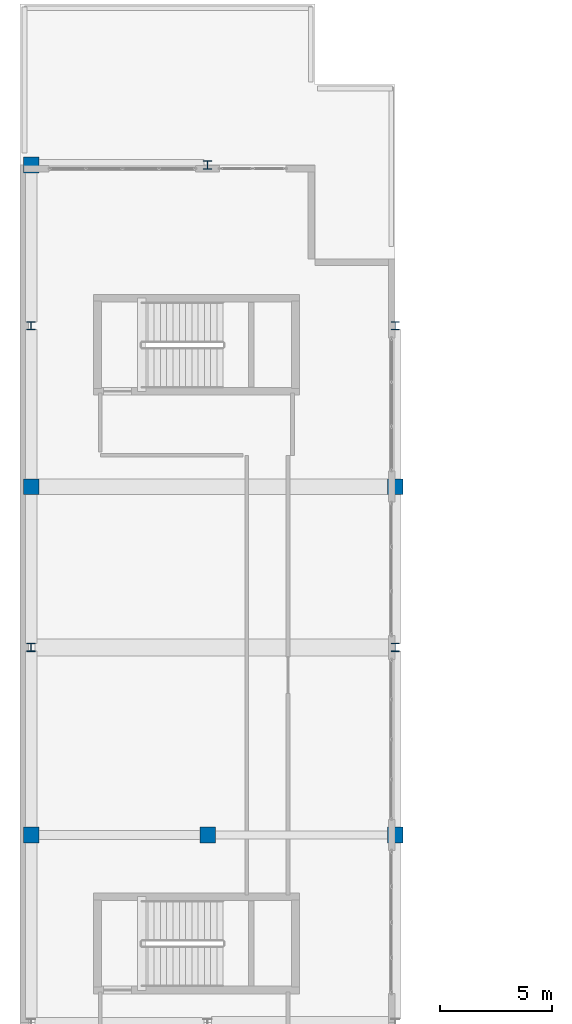
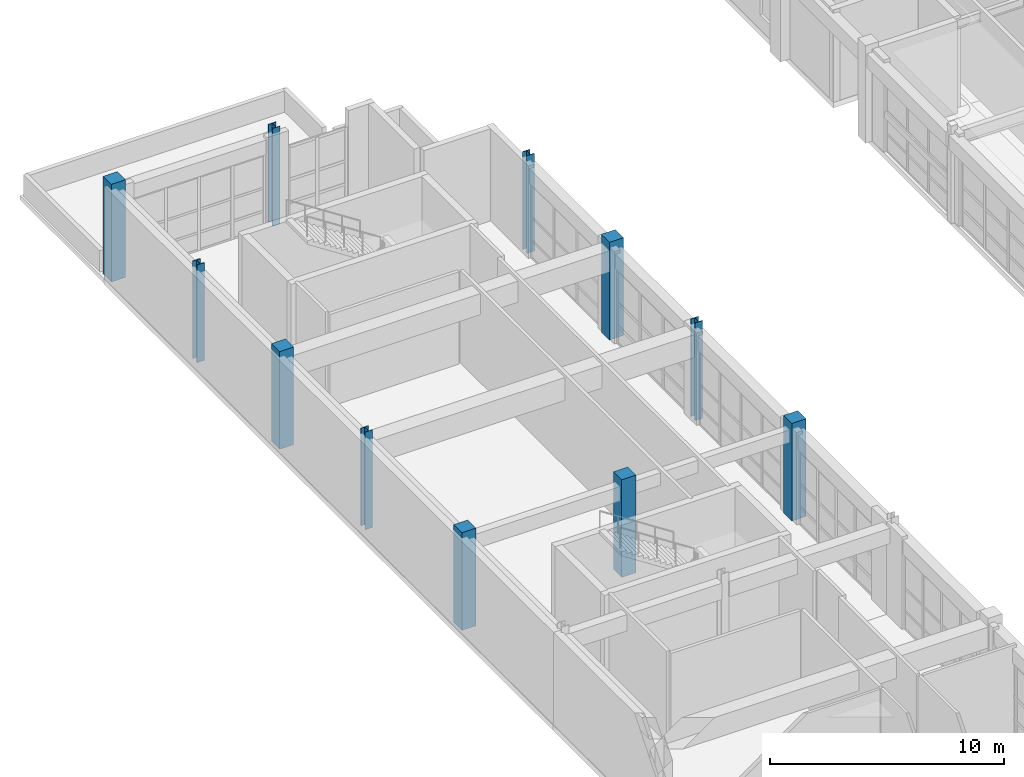
# One storey, part 5 of 78: 11 columns.
"""IFC4 building model written with IfcOpenShell, lengths in metres."""

import ifcopenshell
import ifcopenshell.guid

model = None  # the IFC model being written
_history = None  # IfcOwnerHistory: only IFC2X3 demands one
_inside = {}  # id of a spatial element -> (the spatial element, [elements in it])
_under = {}  # id of a project, library or spatial element -> (it, [spatial elements below it])
_declared = {}  # id of a project -> (the project, [libraries it declares])
_typed = {}  # id of a type object -> (the type object, [elements of that type])
_made_of = {}  # id of a material, layer set ... -> (it, [elements and type objects made of it])


def new_model(schema):
    """Start an empty IFC model of exactly this schema.

    Asked for "IFC4X3", IfcOpenShell would pick the latest addendum, in which some entities
    have other attributes; the version numbers below select the first issue.
    IFC2X3 requires an IfcOwnerHistory on every rooted entity: one is made here for all.
    """
    global model, _history
    if schema == "IFC4X3":
        model = ifcopenshell.file(schema_version=(4, 3, 0, 0))
    else:
        model = ifcopenshell.file(schema=schema)
    _inside.clear()
    _under.clear()
    _declared.clear()
    _typed.clear()
    _made_of.clear()
    _history = None
    if model.schema == "IFC2X3":
        org = make("IfcOrganization", Name="unknown")
        user = make(
            "IfcPersonAndOrganization",
            ThePerson=make("IfcPerson", FamilyName="unknown"),
            TheOrganization=org,
        )
        app = make(
            "IfcApplication",
            ApplicationDeveloper=org,
            Version="unknown",
            ApplicationFullName="unknown",
            ApplicationIdentifier="unknown",
        )
        _history = make(
            "IfcOwnerHistory",
            OwningUser=user,
            OwningApplication=app,
            ChangeAction="ADDED",
            CreationDate=0,
        )
    return model


def make(cls, **values):
    """One entity of the class cls with the attributes given. An attribute that is None is left unset."""
    return model.create_entity(
        cls, **{name: value for name, value in values.items() if value is not None}
    )


def rooted(cls, **values):
    """An entity with a GlobalId (a new one), such as an element, a storey or a relation."""
    return make(cls, GlobalId=ifcopenshell.guid.new(), OwnerHistory=_history, **values)


def si_unit(unit_type, name, prefix=None):
    """IfcSIUnit, for example si_unit("LENGTHUNIT", "METRE", prefix="MILLI")."""
    return make("IfcSIUnit", UnitType=unit_type, Prefix=prefix, Name=name)


def assignment(units):
    """IfcUnitAssignment: the units of a project."""
    return None if units is None else make("IfcUnitAssignment", Units=units)


def point(xyz):
    """IfcCartesianPoint."""
    return None if xyz is None else make("IfcCartesianPoint", Coordinates=xyz)


def direction(xyz):
    """IfcDirection."""
    return None if xyz is None else make("IfcDirection", DirectionRatios=xyz)


def frame(location, z_axis=None, x_axis=None):
    """IfcAxis2Placement3D, a coordinate frame: its origin and axes. An axis left out is left unset."""
    return make(
        "IfcAxis2Placement3D",
        Location=point(location),
        Axis=direction(z_axis),
        RefDirection=direction(x_axis),
    )


def frame_2d(location, x_axis=None):
    """IfcAxis2Placement2D, a coordinate frame in the plane: its origin and x axis."""
    return make(
        "IfcAxis2Placement2D", Location=point(location), RefDirection=direction(x_axis)
    )


def origin():
    """The frame at (0, 0, 0) with its axes left unset."""
    return frame((0.0, 0.0, 0.0))


def origin_2d():
    """The frame at (0, 0) in the plane with its x axis left unset."""
    return frame_2d((0.0, 0.0))


def place(relative_to, where):
    """IfcLocalPlacement: puts the frame where relative to a parent placement (None: the world)."""
    return make(
        "IfcLocalPlacement", PlacementRelTo=relative_to, RelativePlacement=where
    )


def context(
    kind, dimensions, precision=None, world=None, true_north=None, identifier=None
):
    """IfcGeometricRepresentationContext, for example the 3D "Model" context."""
    return make(
        "IfcGeometricRepresentationContext",
        ContextIdentifier=identifier,
        ContextType=kind,
        CoordinateSpaceDimension=dimensions,
        Precision=precision,
        WorldCoordinateSystem=world,
        TrueNorth=true_north,
    )


def subcontext(parent, identifier, kind, view, scale=None):
    """IfcGeometricRepresentationSubContext, for example "Body" below "Model"."""
    return make(
        "IfcGeometricRepresentationSubContext",
        ContextIdentifier=identifier,
        ContextType=kind,
        ParentContext=parent,
        TargetScale=scale,
        TargetView=view,
    )


def project(units=None, contexts=None):
    """IfcProject with its units and contexts."""
    return rooted(
        "IfcProject",
        Name="project",
        RepresentationContexts=contexts,
        UnitsInContext=assignment(units),
    )


def spatial(cls, under=None, at=None, **own):
    """A site, building, storey or space (cls), placed at a placement, below another one or the project."""
    s = rooted(cls, ObjectPlacement=at, **own)
    if under is not None:
        _under.setdefault(under.id(), (under, []))[1].append(s)
    return s


def profile(cls, at=None, kind="AREA", **sizes):
    """A parametric profile (cls). Its sizes go by their IFC names, for example OverallWidth=200.0."""
    return make(cls, ProfileType=kind, Position=at, **sizes)


def rectangle(**sizes):
    """IfcRectangleProfileDef."""
    return profile("IfcRectangleProfileDef", **sizes)


def i_section(**sizes):
    """IfcIShapeProfileDef."""
    return profile("IfcIShapeProfileDef", **sizes)


def extrude(swept, where, along, depth):
    """IfcExtrudedAreaSolid: the profile swept, set in the frame where, extruded along a direction by depth."""
    return make(
        "IfcExtrudedAreaSolid",
        SweptArea=swept,
        Position=where,
        ExtrudedDirection=direction(along),
        Depth=depth,
    )


def shape(context_of_items, identifier, shape_type, items):
    """IfcShapeRepresentation: the items that make up one representation, for example the "Body"."""
    return make(
        "IfcShapeRepresentation",
        ContextOfItems=context_of_items,
        RepresentationIdentifier=identifier,
        RepresentationType=shape_type,
        Items=items,
    )


def material(Name=None, Category=None):
    """IfcMaterial."""
    return make("IfcMaterial", Name=Name, Category=Category)


def material_profile(
    of_material, cross_section, Name=None, Category=None, Priority=None
):
    """IfcMaterialProfile: a cross section and its material."""
    return make(
        "IfcMaterialProfile",
        Name=Name,
        Material=of_material,
        Profile=cross_section,
        Priority=Priority,
        Category=Category,
    )


def profile_set(profiles, Name=None, composite=None):
    """IfcMaterialProfileSet."""
    return make(
        "IfcMaterialProfileSet",
        Name=Name,
        MaterialProfiles=profiles,
        CompositeProfile=composite,
    )


def made_of(thing, what):
    """Note that an element or type object is made of a material, layer set ...; save() writes the relation."""
    if what is not None:
        _made_of.setdefault(what.id(), (what, []))[1].append(thing)
    return thing


def type_object(cls, material=None, **own):
    """A type object (cls), such as IfcWallType, which elements share."""
    return made_of(rooted(cls, **own), material)


def element(
    cls,
    number,
    at=None,
    inside=None,
    cuts=None,
    type_object=None,
    material=None,
    context=None,
    identifier="Body",
    shape_type=None,
    held_by="IfcProductDefinitionShape",
    body=None,
    shapes=None,
    **own,
):
    """One element of the class cls, such as IfcWall. Its Tag is "e" and its number.

    at: its placement. inside: the storey or other place that contains it. cuts: it is an
    opening in that element (IfcRelVoidsElement). A single representation is given by context,
    identifier, shape_type and body (its items); several are given by shapes. held_by: the class
    of the entity that holds the representations. save() writes the other relations.
    """
    e = rooted(cls, Tag="e%d" % number, ObjectPlacement=at, **own)
    if body is not None:
        shapes = [shape(context, identifier, shape_type, body)]
    if shapes is not None:
        e.Representation = make(held_by, Representations=shapes)
    if inside is not None:
        _inside.setdefault(inside.id(), (inside, []))[1].append(e)
    if cuts is not None:
        rooted(
            "IfcRelVoidsElement", RelatingBuildingElement=cuts, RelatedOpeningElement=e
        )
    if type_object is not None:
        _typed.setdefault(type_object.id(), (type_object, []))[1].append(e)
    return made_of(e, material)


def aggregate(whole, parts):
    """IfcRelAggregates: a whole, such as a stair, and the parts it consists of."""
    return rooted("IfcRelAggregates", RelatingObject=whole, RelatedObjects=parts)


def save(model, path):
    """Write the relations noted so far, then the file.

    IfcRelAggregates (storeys below a building ...), IfcRelContainedInSpatialStructure (elements
    in a storey), IfcRelDefinesByType, IfcRelAssociatesMaterial and IfcRelDeclares: one each for
    every whole, place, type object, material and project.
    """
    for whole, parts in _under.values():
        aggregate(whole, parts)
    for where, things in _inside.values():
        rooted(
            "IfcRelContainedInSpatialStructure",
            RelatedElements=things,
            RelatingStructure=where,
        )
    for kind, things in _typed.values():
        rooted("IfcRelDefinesByType", RelatedObjects=things, RelatingType=kind)
    for what, things in _made_of.values():
        rooted("IfcRelAssociatesMaterial", RelatedObjects=things, RelatingMaterial=what)
    for by, libraries in _declared.values():
        rooted("IfcRelDeclares", RelatingContext=by, RelatedDefinitions=libraries)
    model.write(path)


model = new_model("IFC4")

# Units and contexts
model_context = context("Model", 3, precision=1e-05, world=origin(), true_north=direction((0.0, 1.0)))
body_context = subcontext(model_context, "Body", "Model", "MODEL_VIEW")
ifc_project = project(units=[si_unit("LENGTHUNIT", "METRE"), si_unit("AREAUNIT", "SQUARE_METRE"), si_unit("VOLUMEUNIT", "CUBIC_METRE"), si_unit("PLANEANGLEUNIT", "RADIAN"), si_unit("MASSUNIT", "GRAM", prefix="KILO")], contexts=[model_context])

# Site, building, storey
site_placement = place(None, origin())
site = spatial("IfcSite", under=ifc_project, at=site_placement, CompositionType="ELEMENT")
building_placement = place(site_placement, origin())
building = spatial("IfcBuilding", under=site, at=building_placement, Name="Quendrovan Civic Courthouse", CompositionType="ELEMENT")
storey_placement = place(building_placement, frame((0.0, 0.0, 10.199951171875)))
storey = spatial("IfcBuildingStorey", under=building, at=storey_placement, Name="L03", CompositionType="ELEMENT", Elevation=10.199951171875)

# Columns
ifc_material_1 = material(Name="Concrete C45/55", Category="concrete")
ifc_material_profile_1 = material_profile(ifc_material_1, rectangle(XDim=0.699951171875, YDim=0.699951171875, at=origin_2d()), Name="RC-COL-700x700")
ifc_profile_set_1 = profile_set([ifc_material_profile_1], Name="Concrete C45/55")
column_type_1 = type_object("IfcColumnType", Name="COL-RC700", PredefinedType="COLUMN", material=ifc_profile_set_1)
for number, where, z_axis, x_axis, name in (
    (1, (0.5, 64.800048828125, 0.0), (0.0, 0.0, 1.0), (1.0, 0.0, 0.0), "L03 Column 1-J"),
    (2, (0.5, 80.39990234375, 0.0), (0.0, 0.0, 1.0), (1.0, 0.0, 0.0), "L03 Column 1-L"),
    (3, (0.5, 94.800048828125, 0.0), (0.0, 0.0, 1.0), (1.0, 0.0, 0.0), "L03 Column 1-N"),
    (4, (8.39990234375, 64.800048828125, 0.0), (0.0, 0.0, 1.0), (1.0, 0.0, 0.0), "L03 Column 2-J"),
    (5, (16.800048828125, 64.800048828125, 0.0), (0.0, 0.0, 1.0), (1.0, 0.0, 0.0), "L03 Column 3-J"),
    (6, (16.800048828125, 80.39990234375, 0.0), (0.0, 0.0, 1.0), (1.0, 0.0, 0.0), "L03 Column 3-L"),
):
    element("IfcColumn", number, at=place(storey_placement, frame(where, z_axis=z_axis, x_axis=x_axis)), inside=storey, type_object=column_type_1, Name=name, PredefinedType="COLUMN", context=body_context, shape_type="SweptSolid", body=[
        extrude(rectangle(XDim=0.699951171875, YDim=0.699951171875, at=origin_2d()), origin(), (0.0, 0.0, 1.0), 5.10009765625),
    ])
ifc_material_2 = material(Name="Steel ASTM A992 Grade 50", Category="steel")
ifc_material_profile_2 = material_profile(ifc_material_2, i_section(OverallWidth=0.3740234375, OverallDepth=0.3720703125, WebThickness=0.016357421875, FlangeThickness=0.026123046875, at=origin_2d()), Name="W14X132")
ifc_profile_set_2 = profile_set([ifc_material_profile_2], Name="Steel ASTM A992 Grade 50")
column_type_2 = type_object("IfcColumnType", Name="COL-STL-W14X132", PredefinedType="COLUMN", material=ifc_profile_set_2)
for number, where, z_axis, x_axis, name in (
    (7, (0.5, 73.199951171875, 0.0), (0.0, 0.0, 1.0), (1.0, 0.0, 0.0), "L03 Column 1-K"),
    (8, (0.5, 87.60009765625, 0.0), (0.0, 0.0, 1.0), (1.0, 0.0, 0.0), "L03 Column 1-M"),
    (9, (8.39990234375, 94.800048828125, 0.0), (0.0, 0.0, 1.0), (1.0, 0.0, 0.0), "L03 Column 2-N"),
    (10, (16.800048828125, 73.199951171875, 0.0), (0.0, 0.0, 1.0), (1.0, 0.0, 0.0), "L03 Column 3-K"),
    (11, (16.800048828125, 87.60009765625, 0.0), (0.0, 0.0, 1.0), (1.0, 0.0, 0.0), "L03 Column 3-M"),
):
    element("IfcColumn", number, at=place(storey_placement, frame(where, z_axis=z_axis, x_axis=x_axis)), inside=storey, type_object=column_type_2, Name=name, PredefinedType="COLUMN", context=body_context, shape_type="SweptSolid", body=[
        extrude(i_section(OverallWidth=0.3740234375, OverallDepth=0.3720703125, WebThickness=0.016357421875, FlangeThickness=0.026123046875, at=origin_2d()), origin(), (0.0, 0.0, 1.0), 5.10009765625),
    ])

save(model, "model.ifc")
